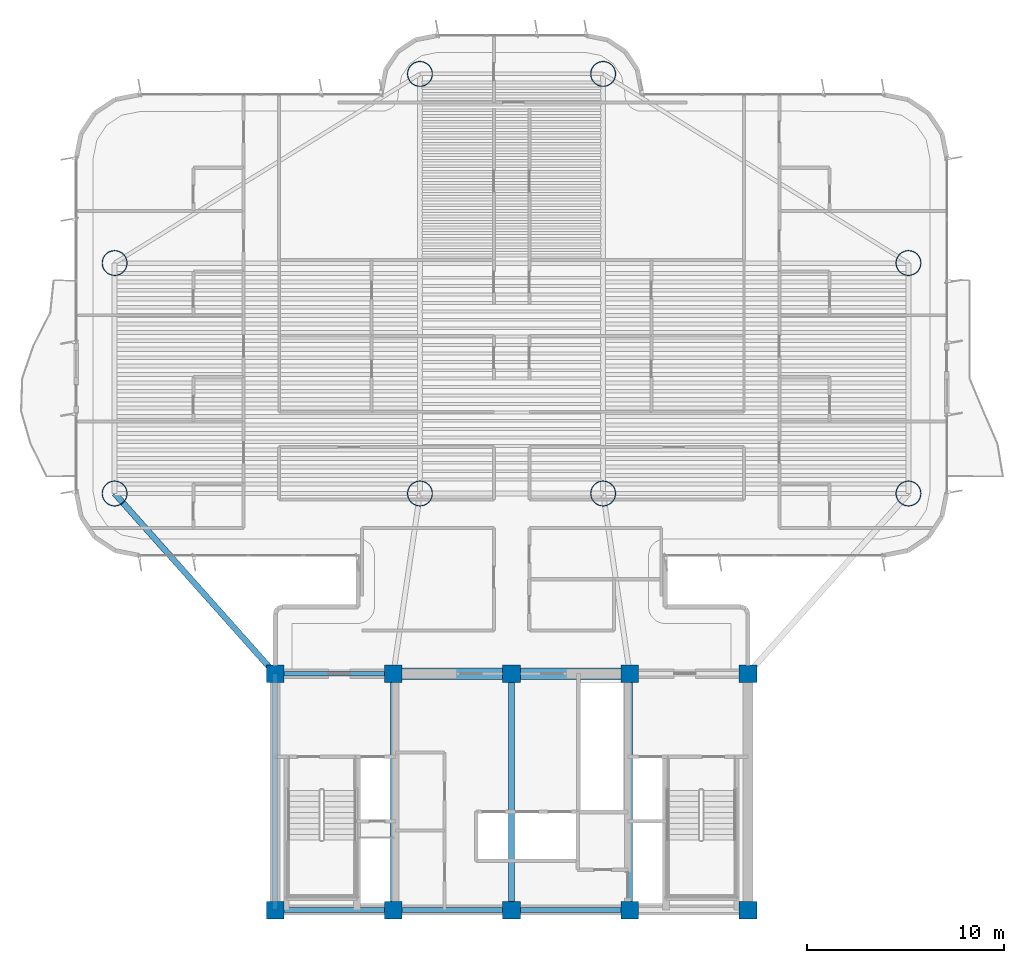
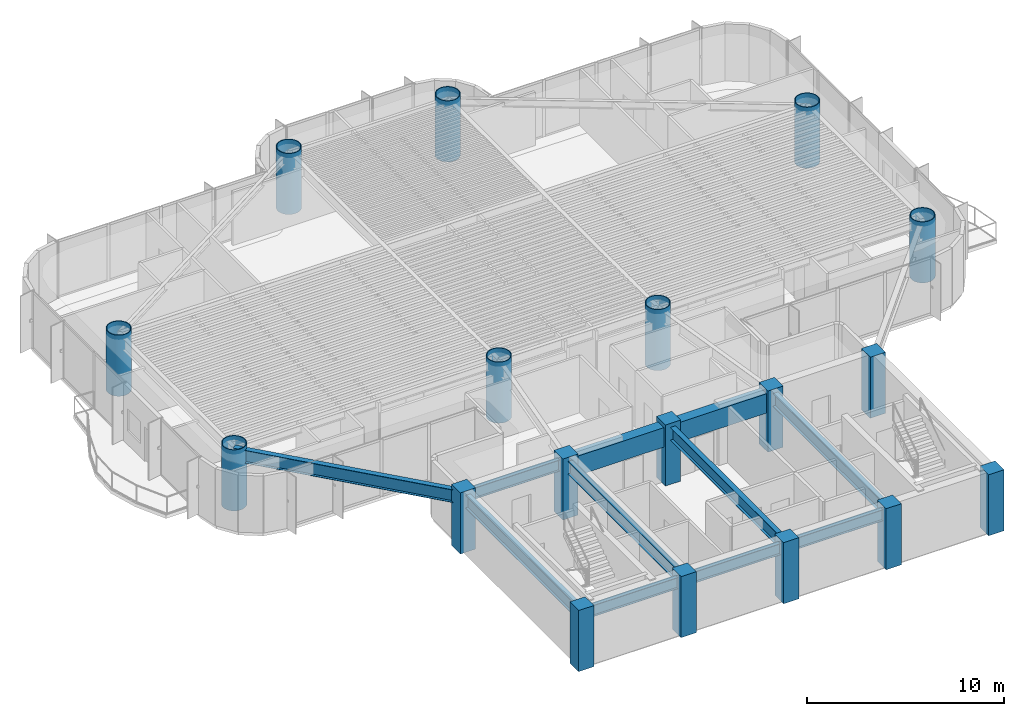
# One storey, part 1 of 17: 18 columns, 10 beams.
"""IFC4 building model written with IfcOpenShell, lengths in metres."""

import ifcopenshell
import ifcopenshell.guid

model = None  # the IFC model being written
_history = None  # IfcOwnerHistory: only IFC2X3 demands one
_inside = {}  # id of a spatial element -> (the spatial element, [elements in it])
_under = {}  # id of a project, library or spatial element -> (it, [spatial elements below it])
_declared = {}  # id of a project -> (the project, [libraries it declares])
_typed = {}  # id of a type object -> (the type object, [elements of that type])
_made_of = {}  # id of a material, layer set ... -> (it, [elements and type objects made of it])


def new_model(schema):
    """Start an empty IFC model of exactly this schema.

    Asked for "IFC4X3", IfcOpenShell would pick the latest addendum, in which some entities
    have other attributes; the version numbers below select the first issue.
    IFC2X3 requires an IfcOwnerHistory on every rooted entity: one is made here for all.
    """
    global model, _history
    if schema == "IFC4X3":
        model = ifcopenshell.file(schema_version=(4, 3, 0, 0))
    else:
        model = ifcopenshell.file(schema=schema)
    _inside.clear()
    _under.clear()
    _declared.clear()
    _typed.clear()
    _made_of.clear()
    _history = None
    if model.schema == "IFC2X3":
        org = make("IfcOrganization", Name="unknown")
        user = make(
            "IfcPersonAndOrganization",
            ThePerson=make("IfcPerson", FamilyName="unknown"),
            TheOrganization=org,
        )
        app = make(
            "IfcApplication",
            ApplicationDeveloper=org,
            Version="unknown",
            ApplicationFullName="unknown",
            ApplicationIdentifier="unknown",
        )
        _history = make(
            "IfcOwnerHistory",
            OwningUser=user,
            OwningApplication=app,
            ChangeAction="ADDED",
            CreationDate=0,
        )
    return model


def make(cls, **values):
    """One entity of the class cls with the attributes given. An attribute that is None is left unset."""
    return model.create_entity(
        cls, **{name: value for name, value in values.items() if value is not None}
    )


def rooted(cls, **values):
    """An entity with a GlobalId (a new one), such as an element, a storey or a relation."""
    return make(cls, GlobalId=ifcopenshell.guid.new(), OwnerHistory=_history, **values)


def si_unit(unit_type, name, prefix=None):
    """IfcSIUnit, for example si_unit("LENGTHUNIT", "METRE", prefix="MILLI")."""
    return make("IfcSIUnit", UnitType=unit_type, Prefix=prefix, Name=name)


def assignment(units):
    """IfcUnitAssignment: the units of a project."""
    return None if units is None else make("IfcUnitAssignment", Units=units)


def point(xyz):
    """IfcCartesianPoint."""
    return None if xyz is None else make("IfcCartesianPoint", Coordinates=xyz)


def direction(xyz):
    """IfcDirection."""
    return None if xyz is None else make("IfcDirection", DirectionRatios=xyz)


def frame(location, z_axis=None, x_axis=None):
    """IfcAxis2Placement3D, a coordinate frame: its origin and axes. An axis left out is left unset."""
    return make(
        "IfcAxis2Placement3D",
        Location=point(location),
        Axis=direction(z_axis),
        RefDirection=direction(x_axis),
    )


def frame_2d(location, x_axis=None):
    """IfcAxis2Placement2D, a coordinate frame in the plane: its origin and x axis."""
    return make(
        "IfcAxis2Placement2D", Location=point(location), RefDirection=direction(x_axis)
    )


def origin():
    """The frame at (0, 0, 0) with its axes left unset."""
    return frame((0.0, 0.0, 0.0))


def origin_2d():
    """The frame at (0, 0) in the plane with its x axis left unset."""
    return frame_2d((0.0, 0.0))


def place(relative_to, where):
    """IfcLocalPlacement: puts the frame where relative to a parent placement (None: the world)."""
    return make(
        "IfcLocalPlacement", PlacementRelTo=relative_to, RelativePlacement=where
    )


def context(
    kind, dimensions, precision=None, world=None, true_north=None, identifier=None
):
    """IfcGeometricRepresentationContext, for example the 3D "Model" context."""
    return make(
        "IfcGeometricRepresentationContext",
        ContextIdentifier=identifier,
        ContextType=kind,
        CoordinateSpaceDimension=dimensions,
        Precision=precision,
        WorldCoordinateSystem=world,
        TrueNorth=true_north,
    )


def subcontext(parent, identifier, kind, view, scale=None):
    """IfcGeometricRepresentationSubContext, for example "Body" below "Model"."""
    return make(
        "IfcGeometricRepresentationSubContext",
        ContextIdentifier=identifier,
        ContextType=kind,
        ParentContext=parent,
        TargetScale=scale,
        TargetView=view,
    )


def project(units=None, contexts=None):
    """IfcProject with its units and contexts."""
    return rooted(
        "IfcProject",
        Name="project",
        RepresentationContexts=contexts,
        UnitsInContext=assignment(units),
    )


def spatial(cls, under=None, at=None, **own):
    """A site, building, storey or space (cls), placed at a placement, below another one or the project."""
    s = rooted(cls, ObjectPlacement=at, **own)
    if under is not None:
        _under.setdefault(under.id(), (under, []))[1].append(s)
    return s


def profile(cls, at=None, kind="AREA", **sizes):
    """A parametric profile (cls). Its sizes go by their IFC names, for example OverallWidth=200.0."""
    return make(cls, ProfileType=kind, Position=at, **sizes)


def rectangle(**sizes):
    """IfcRectangleProfileDef."""
    return profile("IfcRectangleProfileDef", **sizes)


def hollow_circle(**sizes):
    """IfcCircleHollowProfileDef."""
    return profile("IfcCircleHollowProfileDef", **sizes)


def i_section(**sizes):
    """IfcIShapeProfileDef."""
    return profile("IfcIShapeProfileDef", **sizes)


def extrude(swept, where, along, depth):
    """IfcExtrudedAreaSolid: the profile swept, set in the frame where, extruded along a direction by depth."""
    return make(
        "IfcExtrudedAreaSolid",
        SweptArea=swept,
        Position=where,
        ExtrudedDirection=direction(along),
        Depth=depth,
    )


def shape(context_of_items, identifier, shape_type, items):
    """IfcShapeRepresentation: the items that make up one representation, for example the "Body"."""
    return make(
        "IfcShapeRepresentation",
        ContextOfItems=context_of_items,
        RepresentationIdentifier=identifier,
        RepresentationType=shape_type,
        Items=items,
    )


def source(mapping_origin, context_of_items, identifier, shape_type, items):
    """IfcRepresentationMap: a shape defined once, which mapped items show again and again."""
    return make(
        "IfcRepresentationMap",
        MappingOrigin=mapping_origin,
        MappedRepresentation=shape(context_of_items, identifier, shape_type, items),
    )


def transform(
    local_origin,
    x_axis=None,
    y_axis=None,
    z_axis=None,
    scale=None,
    scale2=None,
    scale3=None,
    uniform=True,
):
    """IfcCartesianTransformationOperator3D, or its non-uniform kind. x_axis, y_axis, z_axis: its Axis1, 2, 3."""
    if uniform:
        return make(
            "IfcCartesianTransformationOperator3D",
            Axis1=direction(x_axis),
            Axis2=direction(y_axis),
            LocalOrigin=point(local_origin),
            Scale=scale,
            Axis3=direction(z_axis),
        )
    return make(
        "IfcCartesianTransformationOperator3DnonUniform",
        Axis1=direction(x_axis),
        Axis2=direction(y_axis),
        LocalOrigin=point(local_origin),
        Scale=scale,
        Axis3=direction(z_axis),
        Scale2=scale2,
        Scale3=scale3,
    )


def mapped(mapping_source, mapping_target):
    """IfcMappedItem: shows the shape of a source again, moved by a transform."""
    return make(
        "IfcMappedItem", MappingSource=mapping_source, MappingTarget=mapping_target
    )


def material(Name=None, Category=None):
    """IfcMaterial."""
    return make("IfcMaterial", Name=Name, Category=Category)


def material_profile(
    of_material, cross_section, Name=None, Category=None, Priority=None
):
    """IfcMaterialProfile: a cross section and its material."""
    return make(
        "IfcMaterialProfile",
        Name=Name,
        Material=of_material,
        Profile=cross_section,
        Priority=Priority,
        Category=Category,
    )


def profile_set(profiles, Name=None, composite=None):
    """IfcMaterialProfileSet."""
    return make(
        "IfcMaterialProfileSet",
        Name=Name,
        MaterialProfiles=profiles,
        CompositeProfile=composite,
    )


def made_of(thing, what):
    """Note that an element or type object is made of a material, layer set ...; save() writes the relation."""
    if what is not None:
        _made_of.setdefault(what.id(), (what, []))[1].append(thing)
    return thing


def type_object(cls, material=None, **own):
    """A type object (cls), such as IfcWallType, which elements share."""
    return made_of(rooted(cls, **own), material)


def element(
    cls,
    number,
    at=None,
    inside=None,
    cuts=None,
    type_object=None,
    material=None,
    context=None,
    identifier="Body",
    shape_type=None,
    held_by="IfcProductDefinitionShape",
    body=None,
    shapes=None,
    **own,
):
    """One element of the class cls, such as IfcWall. Its Tag is "e" and its number.

    at: its placement. inside: the storey or other place that contains it. cuts: it is an
    opening in that element (IfcRelVoidsElement). A single representation is given by context,
    identifier, shape_type and body (its items); several are given by shapes. held_by: the class
    of the entity that holds the representations. save() writes the other relations.
    """
    e = rooted(cls, Tag="e%d" % number, ObjectPlacement=at, **own)
    if body is not None:
        shapes = [shape(context, identifier, shape_type, body)]
    if shapes is not None:
        e.Representation = make(held_by, Representations=shapes)
    if inside is not None:
        _inside.setdefault(inside.id(), (inside, []))[1].append(e)
    if cuts is not None:
        rooted(
            "IfcRelVoidsElement", RelatingBuildingElement=cuts, RelatedOpeningElement=e
        )
    if type_object is not None:
        _typed.setdefault(type_object.id(), (type_object, []))[1].append(e)
    return made_of(e, material)


def aggregate(whole, parts):
    """IfcRelAggregates: a whole, such as a stair, and the parts it consists of."""
    return rooted("IfcRelAggregates", RelatingObject=whole, RelatedObjects=parts)


def save(model, path):
    """Write the relations noted so far, then the file.

    IfcRelAggregates (storeys below a building ...), IfcRelContainedInSpatialStructure (elements
    in a storey), IfcRelDefinesByType, IfcRelAssociatesMaterial and IfcRelDeclares: one each for
    every whole, place, type object, material and project.
    """
    for whole, parts in _under.values():
        aggregate(whole, parts)
    for where, things in _inside.values():
        rooted(
            "IfcRelContainedInSpatialStructure",
            RelatedElements=things,
            RelatingStructure=where,
        )
    for kind, things in _typed.values():
        rooted("IfcRelDefinesByType", RelatedObjects=things, RelatingType=kind)
    for what, things in _made_of.values():
        rooted("IfcRelAssociatesMaterial", RelatedObjects=things, RelatingMaterial=what)
    for by, libraries in _declared.values():
        rooted("IfcRelDeclares", RelatingContext=by, RelatedDefinitions=libraries)
    model.write(path)


model = new_model("IFC4")

# Units and contexts
model_context = context("Model", 3, precision=1e-05, world=origin(), true_north=direction((0.0, 1.0)))
body_context = subcontext(model_context, "Body", "Model", "MODEL_VIEW")
ifc_project = project(units=[si_unit("LENGTHUNIT", "METRE"), si_unit("AREAUNIT", "SQUARE_METRE"), si_unit("VOLUMEUNIT", "CUBIC_METRE"), si_unit("PLANEANGLEUNIT", "RADIAN"), si_unit("MASSUNIT", "GRAM", prefix="KILO")], contexts=[model_context])

# Site, building, storey
site_placement = place(None, origin())
site = spatial("IfcSite", under=ifc_project, at=site_placement, CompositionType="ELEMENT")
building_placement = place(site_placement, origin())
building = spatial("IfcBuilding", under=site, at=building_placement, Name="Brelvock Crest Care Tower", CompositionType="ELEMENT")
storey_placement = place(building_placement, frame((0.0, 0.0, 131.39990234375)))
storey = spatial("IfcBuildingStorey", under=building, at=storey_placement, Name="L33", CompositionType="ELEMENT", Elevation=131.39990234375)

# Columns
ifc_material_1 = material(Name="Concrete S80 (80 MPa)", Category="concrete")
ifc_material_profile_1 = material_profile(ifc_material_1, rectangle(XDim=0.89990234375, YDim=0.89990234375, at=origin_2d()), Name="RC900x900")
ifc_profile_set_1 = profile_set([ifc_material_profile_1], Name="Concrete S80 (80 MPa)")
column_type_1 = type_object("IfcColumnType", Name="COL-RC2", PredefinedType="COLUMN", material=ifc_profile_set_1)
shared_shape_1 = source(origin(), body_context, "Body", "SweptSolid", [
    extrude(rectangle(XDim=0.89990234375, YDim=0.89990234375, at=origin_2d()), origin(), (0.0, 0.0, 1.0), 3.780029296875),
])
for number, where, z_axis, x_axis, name in (
    (1, (24.0, 6.0, 0.0), (0.0, 0.0, 1.0), (1.0, 0.0, 0.0), "L33 Core Column CC-01"),
    (2, (30.0, 6.0, 0.0), (0.0, 0.0, 1.0), (1.0, 0.0, 0.0), "L33 Core Column CC-02"),
    (3, (36.0, 6.0, 0.0), (0.0, 0.0, 1.0), (1.0, 0.0, 0.0), "L33 Core Column CC-03"),
    (4, (42.0, 6.0, 0.0), (0.0, 0.0, 1.0), (1.0, 0.0, 0.0), "L33 Core Column CC-04"),
    (5, (48.0, 6.0, 0.0), (0.0, 0.0, 1.0), (1.0, 0.0, 0.0), "L33 Core Column CC-05"),
    (6, (24.0, 18.0, 0.0), (0.0, 0.0, 1.0), (1.0, 0.0, 0.0), "L33 Core Column CC-06"),
    (7, (30.0, 18.0, 0.0), (0.0, 0.0, 1.0), (1.0, 0.0, 0.0), "L33 Core Column CC-07"),
    (8, (36.0, 18.0, 0.0), (0.0, 0.0, 1.0), (1.0, 0.0, 0.0), "L33 Core Column CC-08"),
    (9, (42.0, 18.0, 0.0), (0.0, 0.0, 1.0), (1.0, 0.0, 0.0), "L33 Core Column CC-09"),
    (10, (48.0, 18.0, 0.0), (0.0, 0.0, 1.0), (1.0, 0.0, 0.0), "L33 Core Column CC-10"),
):
    element("IfcColumn", number, at=place(storey_placement, frame(where, z_axis=z_axis, x_axis=x_axis)), inside=storey, type_object=column_type_1, Name=name, PredefinedType="COLUMN", context=body_context, shape_type="MappedRepresentation", body=[
        mapped(shared_shape_1, transform((0.0, 0.0, 0.0), x_axis=(1.0, 0.0, 0.0), y_axis=(0.0, 1.0, 0.0), z_axis=(0.0, 0.0, 1.0), scale=1.0)),
    ])
ifc_material_2 = material(Name="Steel Grade 350", Category="steel")
ifc_material_profile_2 = material_profile(ifc_material_2, hollow_circle(Radius=0.64990234375, WallThickness=0.044921875, at=origin_2d()), Name="CFT1300x45")
ifc_profile_set_2 = profile_set([ifc_material_profile_2], Name="Steel Grade 350")
column_type_2 = type_object("IfcColumnType", Name="COL-MC2", PredefinedType="COLUMN", material=ifc_profile_set_2)
shared_shape_2 = source(origin(), body_context, "Body", "SweptSolid", [
    extrude(hollow_circle(Radius=0.64990234375, WallThickness=0.044921875, at=origin_2d()), origin(), (0.0, 0.0, 1.0), 3.780029296875),
])
for number, where, z_axis, x_axis, name in (
    (11, (15.85009765625, 27.14990234375, 0.0), (0.0, 0.0, 1.0), (1.0, 0.0, 0.0), "L33 Tower Column M1"),
    (12, (15.85009765625, 38.85009765625, 0.0), (0.0, 0.0, 1.0), (1.0, 0.0, 0.0), "L33 Tower Column M2"),
    (13, (56.14990234375, 27.14990234375, 0.0), (0.0, 0.0, 1.0), (1.0, 0.0, 0.0), "L33 Tower Column M3"),
    (14, (56.14990234375, 38.85009765625, 0.0), (0.0, 0.0, 1.0), (1.0, 0.0, 0.0), "L33 Tower Column M4"),
    (15, (31.35009765625, 27.14990234375, 0.0), (0.0, 0.0, 1.0), (1.0, 0.0, 0.0), "L33 Tower Column M5"),
    (16, (40.64990234375, 27.14990234375, 0.0), (0.0, 0.0, 1.0), (1.0, 0.0, 0.0), "L33 Tower Column M6"),
    (17, (31.35009765625, 48.449951171875, 0.0), (0.0, 0.0, 1.0), (1.0, 0.0, 0.0), "L33 Tower Column M7"),
    (18, (40.64990234375, 48.449951171875, 0.0), (0.0, 0.0, 1.0), (1.0, 0.0, 0.0), "L33 Tower Column M8"),
):
    element("IfcColumn", number, at=place(storey_placement, frame(where, z_axis=z_axis, x_axis=x_axis)), inside=storey, type_object=column_type_2, Name=name, PredefinedType="COLUMN", context=body_context, shape_type="MappedRepresentation", body=[
        mapped(shared_shape_2, transform((0.0, 0.0, 0.0), x_axis=(1.0, 0.0, 0.0), y_axis=(0.0, 1.0, 0.0), z_axis=(0.0, 0.0, 1.0), scale=1.0)),
    ])

# Beams
ifc_material_profile_3 = material_profile(ifc_material_1, rectangle(XDim=0.60009765625, YDim=1.199951171875, at=origin_2d()), Name="RC600x1200")
ifc_profile_set_3 = profile_set([ifc_material_profile_3], Name="Concrete S80 (80 MPa)")
beam_type_1 = type_object("IfcBeamType", Name="BM-LN1", PredefinedType="LINTEL", material=ifc_profile_set_3)
shared_shape_3 = source(origin(), body_context, "Body", "SweptSolid", [
    extrude(rectangle(XDim=0.60009765625, YDim=1.199951171875, at=origin_2d()), origin(), (0.0, 0.0, 1.0), 12.0),
])
beam_1_placement = place(storey_placement, frame((30.0, 18.0, 2.93017578125), z_axis=(1.0, 0.0, 0.0), x_axis=(0.0, 1.0, 0.0)))
element("IfcBeam", 19, at=beam_1_placement, inside=storey, type_object=beam_type_1, Name="L33 Core Coupling Lintel Beam", PredefinedType="LINTEL", context=body_context, shape_type="MappedRepresentation", body=[
    mapped(shared_shape_3, transform((0.0, 0.0, 0.0), x_axis=(1.0, 0.0, 0.0), y_axis=(0.0, 1.0, 0.0), z_axis=(0.0, 0.0, 1.0), scale=1.0)),
])
ifc_material_profile_4 = material_profile(ifc_material_2, i_section(OverallWidth=0.25, OverallDepth=0.699951171875, WebThickness=0.011962890625, FlangeThickness=0.02001953125, at=origin_2d()), Name="700WB150")
ifc_profile_set_4 = profile_set([ifc_material_profile_4], Name="Steel Grade 350")
beam_type_2 = type_object("IfcBeamType", Name="BM-G4", PredefinedType="BEAM", material=ifc_profile_set_4)
shared_shape_4 = source(origin(), body_context, "Body", "SweptSolid", [
    extrude(i_section(OverallWidth=0.25, OverallDepth=0.699951171875, WebThickness=0.011962890625, FlangeThickness=0.02001953125, at=origin_2d()), origin(), (0.0, 0.0, 1.0), 6.0),
])
for number, where, z_axis, x_axis, name in (
    (20, (24.0, 6.0, 3.18017578125), (1.0, 0.0, 0.0), (0.0, 1.0, 0.0), "BM-CORES-L33-1"),
    (21, (24.0, 18.0, 3.18017578125), (1.0, 0.0, 0.0), (0.0, 1.0, 0.0), "BM-COREN-L33-1"),
    (22, (30.0, 6.0, 3.18017578125), (1.0, 0.0, 0.0), (0.0, 1.0, 0.0), "BM-CORES-L33-2"),
    (23, (36.0, 6.0, 3.18017578125), (1.0, 0.0, 0.0), (0.0, 1.0, 0.0), "BM-CORES-L33-3"),
):
    element("IfcBeam", number, at=place(storey_placement, frame(where, z_axis=z_axis, x_axis=x_axis)), inside=storey, type_object=beam_type_2, Name=name, PredefinedType="BEAM", context=body_context, shape_type="MappedRepresentation", body=[
        mapped(shared_shape_4, transform((0.0, 0.0, 0.0), x_axis=(1.0, 0.0, 0.0), y_axis=(0.0, 1.0, 0.0), z_axis=(0.0, 0.0, 1.0), scale=1.0)),
    ])
ifc_material_profile_5 = material_profile(ifc_material_2, i_section(OverallWidth=0.300048828125, OverallDepth=0.800048828125, WebThickness=0.013916015625, FlangeThickness=0.02197265625, at=origin_2d()), Name="800WB192")
ifc_profile_set_5 = profile_set([ifc_material_profile_5], Name="Steel Grade 350")
beam_type_3 = type_object("IfcBeamType", Name="BM-G5", PredefinedType="BEAM", material=ifc_profile_set_5)
shared_shape_5 = source(origin(), body_context, "Body", "SweptSolid", [
    extrude(i_section(OverallWidth=0.300048828125, OverallDepth=0.800048828125, WebThickness=0.013916015625, FlangeThickness=0.02197265625, at=origin_2d()), origin(), (0.0, 0.0, 1.0), 12.0),
])
for number, where, z_axis, x_axis, name in (
    (24, (24.0, 6.0, 3.130126953125), (0.0, 1.0, 0.0), (-1.0, 0.0, 0.0), "BM-COREX-L33-1"),
    (25, (30.0, 6.0, 3.130126953125), (0.0, 1.0, 0.0), (-1.0, 0.0, 0.0), "BM-COREX-L33-2"),
    (26, (36.0, 6.0, 3.130126953125), (0.0, 1.0, 0.0), (-1.0, 0.0, 0.0), "BM-COREX-L33-3"),
    (27, (42.0, 6.0, 3.130126953125), (0.0, 1.0, 0.0), (-1.0, 0.0, 0.0), "BM-COREX-L33-4"),
):
    element("IfcBeam", number, at=place(storey_placement, frame(where, z_axis=z_axis, x_axis=x_axis)), inside=storey, type_object=beam_type_3, Name=name, PredefinedType="BEAM", context=body_context, shape_type="MappedRepresentation", body=[
        mapped(shared_shape_5, transform((0.0, 0.0, 0.0), x_axis=(1.0, 0.0, 0.0), y_axis=(0.0, 1.0, 0.0), z_axis=(0.0, 0.0, 1.0), scale=1.0)),
    ])
shared_shape_6 = source(origin(), body_context, "Body", "SweptSolid", [
    extrude(i_section(OverallWidth=0.300048828125, OverallDepth=0.800048828125, WebThickness=0.013916015625, FlangeThickness=0.02197265625, at=origin_2d()), origin(), (0.0, 0.0, 1.0), 12.253173828125),
])
beam_2_placement = place(storey_placement, frame((24.0, 18.0, 3.130126953125), z_axis=(-0.665122829149, 0.746733970129, 0.0), x_axis=(-0.746733970129, -0.665122829149, 0.0)))
element("IfcBeam", 28, at=beam_2_placement, inside=storey, type_object=beam_type_3, Name="BM-THRO-W-L33", PredefinedType="BEAM", context=body_context, shape_type="MappedRepresentation", body=[
    mapped(shared_shape_6, transform((0.0, 0.0, 0.0), x_axis=(1.0, 0.0, 0.0), y_axis=(0.0, 1.0, 0.0), z_axis=(0.0, 0.0, 1.0), scale=1.0)),
])

save(model, "model.ifc")
